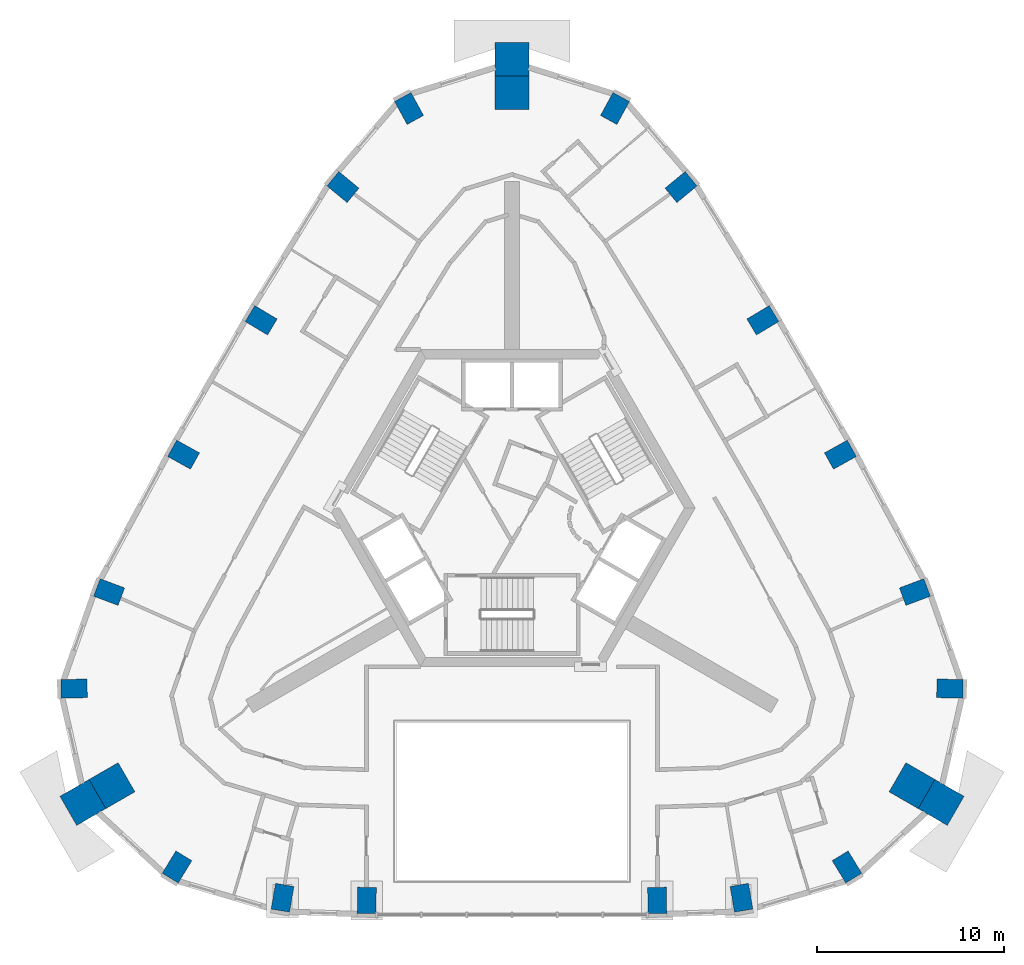
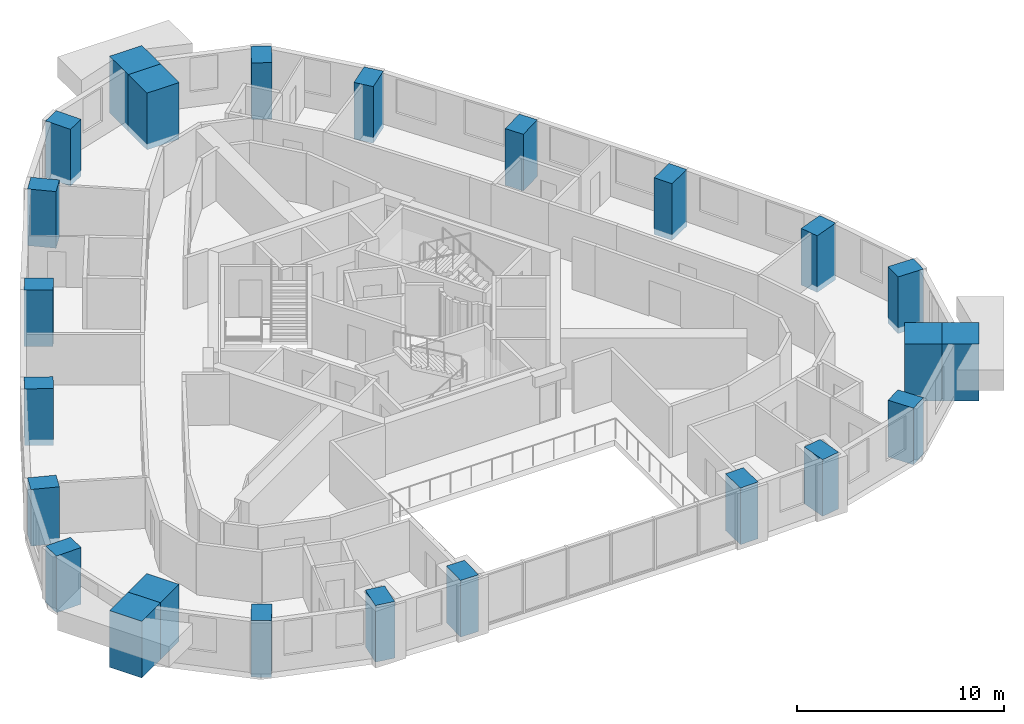
# One storey, part 1 of 10: 24 columns.
"""IFC4 building model written with IfcOpenShell, lengths in metres."""

from ifc_helpers import new_model, si_unit, direction, frame, origin, origin_2d, place, context, subcontext, project, spatial, rectangle, extrude, material, material_profile, profile_set, type_object, element, save


model = new_model("IFC4")

# Units and contexts
model_context = context("Model", 3, precision=1e-05, world=origin(), true_north=direction((0.0, 1.0)))
body_context = subcontext(model_context, "Body", "Model", "MODEL_VIEW")
ifc_project = project(units=[si_unit("LENGTHUNIT", "METRE"), si_unit("AREAUNIT", "SQUARE_METRE"), si_unit("VOLUMEUNIT", "CUBIC_METRE"), si_unit("PLANEANGLEUNIT", "RADIAN"), si_unit("MASSUNIT", "GRAM", prefix="KILO")], contexts=[model_context])

# Site, building, storey
site_placement = place(None, origin())
site = spatial("IfcSite", under=ifc_project, at=site_placement, CompositionType="ELEMENT")
building_placement = place(site_placement, origin())
building = spatial("IfcBuilding", under=site, at=building_placement, Name="Entoto Arch Interchange Tower", CompositionType="ELEMENT")
storey_placement = place(building_placement, frame((0.0, 0.0, 322.39990234375)))
storey = spatial("IfcBuildingStorey", under=building, at=storey_placement, Name="L76", CompositionType="ELEMENT", Elevation=322.39990234375)

# Columns
ifc_material_1 = material(Name="Concrete C40/50", Category="concrete")
ifc_material_profile_1 = material_profile(ifc_material_1, rectangle(XDim=1.0, YDim=1.39990234375, at=origin_2d()))
ifc_profile_set_1 = profile_set([ifc_material_profile_1], Name="Concrete C40/50")
column_type_1 = type_object("IfcColumnType", Name="Column RC 1000x1400 C40/50", PredefinedType="COLUMN", material=ifc_profile_set_1)
for number, where, z_axis, x_axis, name in (
    (1, (-12.297119140625, -18.385009765625, -0.33984375), (0.0, 0.0, 1.0), (-0.985785690827, 0.168007653877, 0.0), "Column S01 L76"),
    (2, (-7.781982421875, -18.528076171875, -0.33984375), (0.0, 0.0, 1.0), (-0.999805523312, 0.019720942027, 0.0), "Column S02 L76"),
    (3, (7.781982421875, -18.528076171875, -0.33984375), (0.0, 0.0, 1.0), (0.999805523312, 0.019720942027, 0.0), "Column S03 L76"),
    (4, (12.297119140625, -18.385009765625, -0.33984375), (0.0, 0.0, 1.0), (0.985785690827, 0.168007653877, 0.0), "Column S04 L76"),
    (5, (17.948974609375, -16.73388671875, -0.33984375), (0.0, 0.0, 1.0), (0.853650808213, 0.520845752251, 0.0), "Column SE1 L76"),
    (6, (23.466064453125, -7.177001953125, -0.33984375), (0.0, 0.0, 1.0), (0.024257696956, 0.999705738774, 0.0), "Column SE3 L76"),
    (7, (21.590087890625, -2.00390625, -0.33984375), (0.0, 0.0, 1.0), (-0.3507141184, 0.93648257173, 0.0), "Column NE01 L76"),
    (8, (17.59912109375, 5.360107421875, -0.33984375), (0.0, 0.0, 1.0), (-0.48592357098, 0.874001306158, 0.0), "Column NE02 L76"),
    (9, (13.44091796875, 12.56103515625, -0.33984375), (0.0, 0.0, 1.0), (-0.513945548584, 0.857822809845, 0.0), "Column NE03 L76"),
    (10, (9.05908203125, 19.699951171875, -0.33984375), (0.0, 0.0, 1.0), (-0.635647164629, 0.771979716119, 0.0), "Column NE04 L76"),
    (11, (5.51708984375, 23.910888671875, -0.33984375), (0.0, 0.0, 1.0), (-0.877899414566, 0.478845087586, 0.0), "Column N1 L76"),
    (12, (-5.51708984375, 23.910888671875, -0.33984375), (0.0, 0.0, 1.0), (0.877899414566, 0.478845087586, 0.0), "Column N3 L76"),
    (13, (-9.05908203125, 19.699951171875, -0.33984375), (0.0, 0.0, 1.0), (0.635647164629, 0.771979716119, 0.0), "Column NW01 L76"),
    (14, (-13.44091796875, 12.56103515625, -0.33984375), (0.0, 0.0, 1.0), (0.513945548584, 0.857822809845, 0.0), "Column NW02 L76"),
    (15, (-17.59912109375, 5.360107421875, -0.33984375), (0.0, 0.0, 1.0), (0.48592357098, 0.874001306158, 0.0), "Column NW03 L76"),
    (16, (-21.590087890625, -2.00390625, -0.33984375), (0.0, 0.0, 1.0), (0.3507141184, 0.93648257173, 0.0), "Column NW04 L76"),
    (17, (-23.466064453125, -7.177001953125, -0.33984375), (0.0, 0.0, 1.0), (-0.024257696956, 0.999705738774, 0.0), "Column SW1 L76"),
    (18, (-17.948974609375, -16.73388671875, -0.33984375), (0.0, 0.0, 1.0), (-0.853650808213, 0.520845752251, 0.0), "Column SW3 L76"),
):
    element("IfcColumn", number, at=place(storey_placement, frame(where, z_axis=z_axis, x_axis=x_axis)), inside=storey, type_object=column_type_1, Name=name, PredefinedType="COLUMN", context=body_context, shape_type="SweptSolid", body=[
        extrude(rectangle(XDim=1.0, YDim=1.39990234375, at=origin_2d()), origin(), (0.0, 0.0, 1.0), 3.33984375),
    ])
ifc_material_2 = material(Name="Precast concrete C40/50", Category="concrete")
ifc_material_profile_2 = material_profile(ifc_material_2, rectangle(XDim=1.800048828125, YDim=1.800048828125, at=origin_2d()))
ifc_profile_set_2 = profile_set([ifc_material_profile_2], Name="Precast concrete C40/50")
column_type_2 = type_object("IfcColumnType", Name="Frame post RC 1800x1800 precast C40/50", PredefinedType="COLUMN", material=ifc_profile_set_2)
for number, where, z_axis, x_axis, name in (
    (19, (22.99609375, -13.277099609375, -0.33984375), (0.0, 0.0, 1.0), (-0.866025403784, 0.5, 0.0), "Frame post SE L76"),
    (20, (0.0, 26.552978515625, -0.33984375), (0.0, 0.0, 1.0), (0.0, 1.0, 0.0), "Frame post N L76"),
    (21, (-22.99609375, -13.277099609375, -0.33984375), (0.0, 0.0, 1.0), (0.866025403784, 0.5, 0.0), "Frame post SW L76"),
):
    element("IfcColumn", number, at=place(storey_placement, frame(where, z_axis=z_axis, x_axis=x_axis)), inside=storey, type_object=column_type_2, Name=name, PredefinedType="COLUMN", context=body_context, shape_type="SweptSolid", body=[
        extrude(rectangle(XDim=1.800048828125, YDim=1.800048828125, at=origin_2d()), origin(), (0.0, 0.0, 1.0), 3.33984375),
    ])
ifc_material_profile_3 = material_profile(ifc_material_1, rectangle(XDim=1.800048828125, YDim=1.800048828125, at=origin_2d()))
ifc_profile_set_3 = profile_set([ifc_material_profile_3], Name="Concrete C40/50")
column_type_3 = type_object("IfcColumnType", Name="Mega column RC 1800x1800 C40/50", PredefinedType="COLUMN", material=ifc_profile_set_3)
for number, where, z_axis, x_axis, name in (
    (22, (21.43701171875, -12.376953125, -0.33984375), (0.0, 0.0, 1.0), (-0.866025403784, 0.5, 0.0), "Corner mega column SE2 L76"),
    (23, (0.0, 24.7529296875, -0.33984375), (0.0, 0.0, 1.0), (0.0, 1.0, 0.0), "Corner mega column N2 L76"),
    (24, (-21.43701171875, -12.376953125, -0.33984375), (0.0, 0.0, 1.0), (0.866025403784, 0.5, 0.0), "Corner mega column SW2 L76"),
):
    element("IfcColumn", number, at=place(storey_placement, frame(where, z_axis=z_axis, x_axis=x_axis)), inside=storey, type_object=column_type_3, Name=name, PredefinedType="COLUMN", context=body_context, shape_type="SweptSolid", body=[
        extrude(rectangle(XDim=1.800048828125, YDim=1.800048828125, at=origin_2d()), origin(), (0.0, 0.0, 1.0), 3.33984375),
    ])

save(model, "model.ifc")
